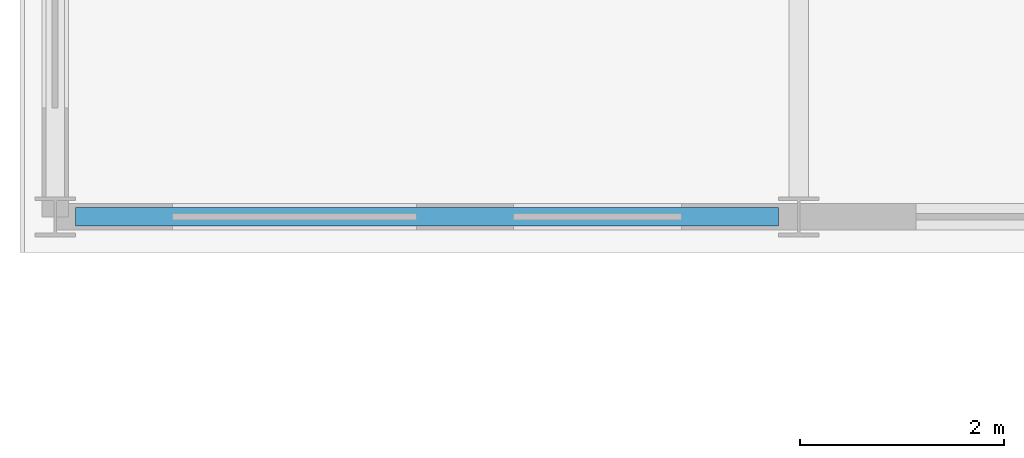
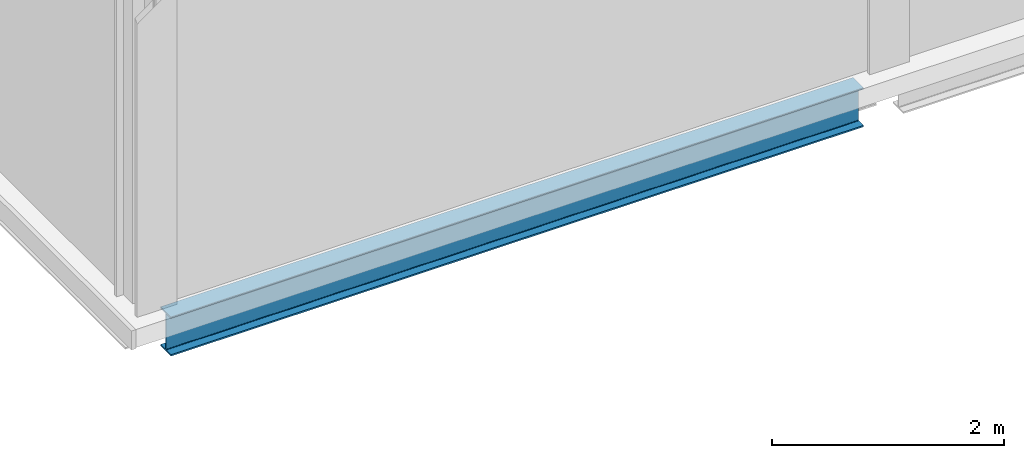
# One storey, part 21 of 77: 1 beam.
"""IFC4 building model written with IfcOpenShell, lengths in metres."""

from ifc_helpers import new_model, si_unit, direction, frame, origin, origin_2d, place, context, subcontext, project, spatial, i_section, extrude, material, material_profile, profile_set, type_object, element, save


model = new_model("IFC4")

# Units and contexts
model_context = context("Model", 3, precision=1e-05, world=origin(), true_north=direction((0.0, 1.0)))
body_context = subcontext(model_context, "Body", "Model", "MODEL_VIEW")
ifc_project = project(units=[si_unit("LENGTHUNIT", "METRE"), si_unit("AREAUNIT", "SQUARE_METRE"), si_unit("VOLUMEUNIT", "CUBIC_METRE"), si_unit("PLANEANGLEUNIT", "RADIAN"), si_unit("MASSUNIT", "GRAM", prefix="KILO")], contexts=[model_context])

# Site, building, storey
site_placement = place(None, origin())
site = spatial("IfcSite", under=ifc_project, at=site_placement, CompositionType="ELEMENT")
building_placement = place(site_placement, origin())
building = spatial("IfcBuilding", under=site, at=building_placement, Name="Quillay Park Conservatory", CompositionType="ELEMENT")
storey_placement = place(building_placement, frame((0.0, 0.0, 5.39990234375)))
storey = spatial("IfcBuildingStorey", under=building, at=storey_placement, Name="L01", CompositionType="ELEMENT", Elevation=5.39990234375)

# Beam
ifc_material = material(Name="Steel ASTM A992 Grade 50", Category="steel")
ifc_material_profile = material_profile(ifc_material, i_section(OverallWidth=0.179931640625, OverallDepth=0.4130859375, WebThickness=0.009765625, FlangeThickness=0.01611328125, FilletRadius=0.011962890625, at=origin_2d()), Name="W410x74")
ifc_profile_set = profile_set([ifc_material_profile], Name="Steel ASTM A992 Grade 50")
beam_type = type_object("IfcBeamType", Name="PERIMETER SPANDREL BEAM W410 X74", PredefinedType="SPANDREL", material=ifc_profile_set)
beam_placement = place(storey_placement, frame((0.74951171875, 63.050048828125, -0.406494140625), z_axis=(1.0, 0.0, 0.0), x_axis=(0.0, 1.0, 0.0)))
element("IfcBeam", 1, at=beam_placement, inside=storey, type_object=beam_type, Name="L01 beam BM-SP-0108", PredefinedType="SPANDREL", context=body_context, shape_type="SweptSolid", body=[
    extrude(i_section(OverallWidth=0.179931640625, OverallDepth=0.4130859375, WebThickness=0.009765625, FlangeThickness=0.01611328125, FilletRadius=0.011962890625, at=origin_2d()), origin(), (0.0, 0.0, 1.0), 6.90087890625),
])

save(model, "model.ifc")
